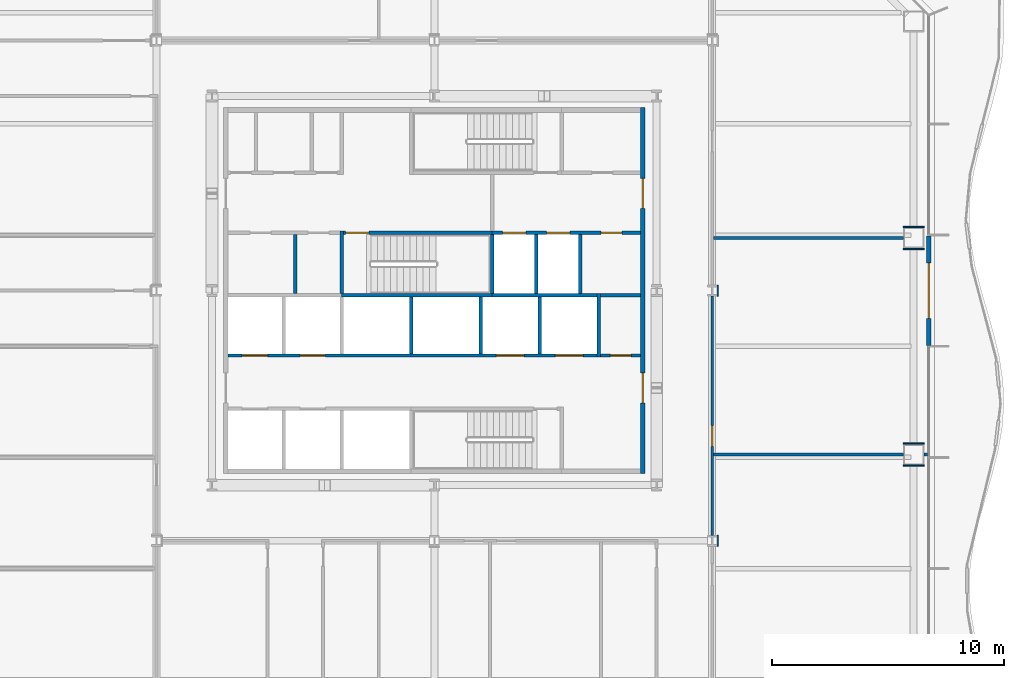
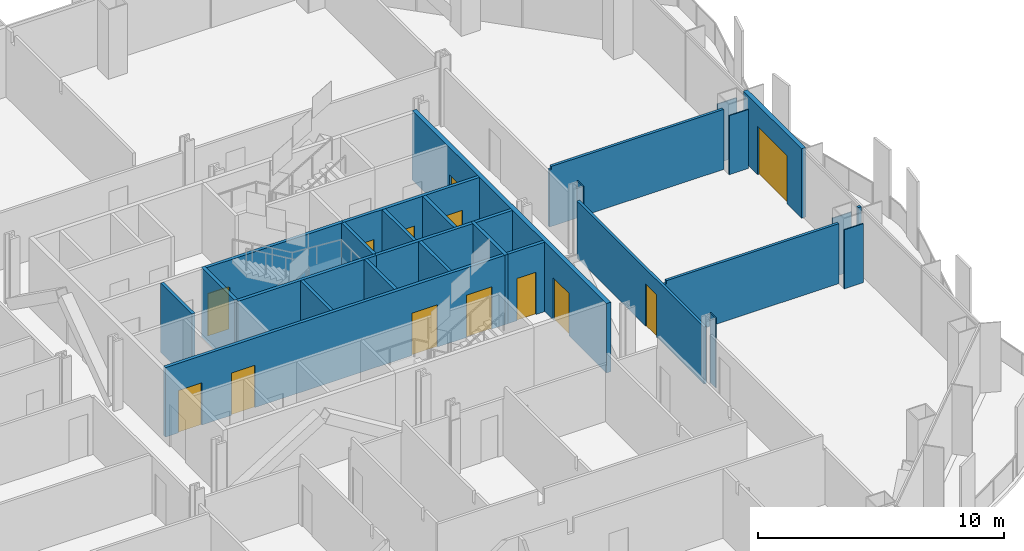
# One storey, part 9 of 17: 28 walls, 13 doors, 13 openings.
"""IFC4 building model written with IfcOpenShell, lengths in metres."""

import ifcopenshell
import ifcopenshell.guid

model = None  # the IFC model being written
_history = None  # IfcOwnerHistory: only IFC2X3 demands one
_inside = {}  # id of a spatial element -> (the spatial element, [elements in it])
_under = {}  # id of a project, library or spatial element -> (it, [spatial elements below it])
_declared = {}  # id of a project -> (the project, [libraries it declares])
_typed = {}  # id of a type object -> (the type object, [elements of that type])
_made_of = {}  # id of a material, layer set ... -> (it, [elements and type objects made of it])


def new_model(schema):
    """Start an empty IFC model of exactly this schema.

    Asked for "IFC4X3", IfcOpenShell would pick the latest addendum, in which some entities
    have other attributes; the version numbers below select the first issue.
    IFC2X3 requires an IfcOwnerHistory on every rooted entity: one is made here for all.
    """
    global model, _history
    if schema == "IFC4X3":
        model = ifcopenshell.file(schema_version=(4, 3, 0, 0))
    else:
        model = ifcopenshell.file(schema=schema)
    _inside.clear()
    _under.clear()
    _declared.clear()
    _typed.clear()
    _made_of.clear()
    _history = None
    if model.schema == "IFC2X3":
        org = make("IfcOrganization", Name="unknown")
        user = make(
            "IfcPersonAndOrganization",
            ThePerson=make("IfcPerson", FamilyName="unknown"),
            TheOrganization=org,
        )
        app = make(
            "IfcApplication",
            ApplicationDeveloper=org,
            Version="unknown",
            ApplicationFullName="unknown",
            ApplicationIdentifier="unknown",
        )
        _history = make(
            "IfcOwnerHistory",
            OwningUser=user,
            OwningApplication=app,
            ChangeAction="ADDED",
            CreationDate=0,
        )
    return model


def make(cls, **values):
    """One entity of the class cls with the attributes given. An attribute that is None is left unset."""
    return model.create_entity(
        cls, **{name: value for name, value in values.items() if value is not None}
    )


def rooted(cls, **values):
    """An entity with a GlobalId (a new one), such as an element, a storey or a relation."""
    return make(cls, GlobalId=ifcopenshell.guid.new(), OwnerHistory=_history, **values)


def si_unit(unit_type, name, prefix=None):
    """IfcSIUnit, for example si_unit("LENGTHUNIT", "METRE", prefix="MILLI")."""
    return make("IfcSIUnit", UnitType=unit_type, Prefix=prefix, Name=name)


def assignment(units):
    """IfcUnitAssignment: the units of a project."""
    return None if units is None else make("IfcUnitAssignment", Units=units)


def point(xyz):
    """IfcCartesianPoint."""
    return None if xyz is None else make("IfcCartesianPoint", Coordinates=xyz)


def direction(xyz):
    """IfcDirection."""
    return None if xyz is None else make("IfcDirection", DirectionRatios=xyz)


def frame(location, z_axis=None, x_axis=None):
    """IfcAxis2Placement3D, a coordinate frame: its origin and axes. An axis left out is left unset."""
    return make(
        "IfcAxis2Placement3D",
        Location=point(location),
        Axis=direction(z_axis),
        RefDirection=direction(x_axis),
    )


def frame_2d(location, x_axis=None):
    """IfcAxis2Placement2D, a coordinate frame in the plane: its origin and x axis."""
    return make(
        "IfcAxis2Placement2D", Location=point(location), RefDirection=direction(x_axis)
    )


def origin():
    """The frame at (0, 0, 0) with its axes left unset."""
    return frame((0.0, 0.0, 0.0))


def place(relative_to, where):
    """IfcLocalPlacement: puts the frame where relative to a parent placement (None: the world)."""
    return make(
        "IfcLocalPlacement", PlacementRelTo=relative_to, RelativePlacement=where
    )


def context(
    kind, dimensions, precision=None, world=None, true_north=None, identifier=None
):
    """IfcGeometricRepresentationContext, for example the 3D "Model" context."""
    return make(
        "IfcGeometricRepresentationContext",
        ContextIdentifier=identifier,
        ContextType=kind,
        CoordinateSpaceDimension=dimensions,
        Precision=precision,
        WorldCoordinateSystem=world,
        TrueNorth=true_north,
    )


def subcontext(parent, identifier, kind, view, scale=None):
    """IfcGeometricRepresentationSubContext, for example "Body" below "Model"."""
    return make(
        "IfcGeometricRepresentationSubContext",
        ContextIdentifier=identifier,
        ContextType=kind,
        ParentContext=parent,
        TargetScale=scale,
        TargetView=view,
    )


def project(units=None, contexts=None):
    """IfcProject with its units and contexts."""
    return rooted(
        "IfcProject",
        Name="project",
        RepresentationContexts=contexts,
        UnitsInContext=assignment(units),
    )


def spatial(cls, under=None, at=None, **own):
    """A site, building, storey or space (cls), placed at a placement, below another one or the project."""
    s = rooted(cls, ObjectPlacement=at, **own)
    if under is not None:
        _under.setdefault(under.id(), (under, []))[1].append(s)
    return s


def polyline(points):
    """IfcPolyline through the points."""
    return make("IfcPolyline", Points=[point(p) for p in points])


def profile(cls, at=None, kind="AREA", **sizes):
    """A parametric profile (cls). Its sizes go by their IFC names, for example OverallWidth=200.0."""
    return make(cls, ProfileType=kind, Position=at, **sizes)


def rectangle(**sizes):
    """IfcRectangleProfileDef."""
    return profile("IfcRectangleProfileDef", **sizes)


def outline(outer, holes=None, kind="AREA"):
    """IfcArbitraryClosedProfileDef: a profile drawn as a closed curve; with holes, ...WithVoids."""
    if holes is None:
        return make("IfcArbitraryClosedProfileDef", ProfileType=kind, OuterCurve=outer)
    return make(
        "IfcArbitraryProfileDefWithVoids",
        ProfileType=kind,
        OuterCurve=outer,
        InnerCurves=holes,
    )


def extrude(swept, where, along, depth):
    """IfcExtrudedAreaSolid: the profile swept, set in the frame where, extruded along a direction by depth."""
    return make(
        "IfcExtrudedAreaSolid",
        SweptArea=swept,
        Position=where,
        ExtrudedDirection=direction(along),
        Depth=depth,
    )


def shape(context_of_items, identifier, shape_type, items):
    """IfcShapeRepresentation: the items that make up one representation, for example the "Body"."""
    return make(
        "IfcShapeRepresentation",
        ContextOfItems=context_of_items,
        RepresentationIdentifier=identifier,
        RepresentationType=shape_type,
        Items=items,
    )


def material(Name=None, Category=None):
    """IfcMaterial."""
    return make("IfcMaterial", Name=Name, Category=Category)


def layer(
    of_material, thickness, ventilated=None, Name=None, Category=None, Priority=None
):
    """IfcMaterialLayer: one layer of a wall or slab, of a material (None: an air gap)."""
    return make(
        "IfcMaterialLayer",
        Material=of_material,
        LayerThickness=thickness,
        IsVentilated=ventilated,
        Name=Name,
        Category=Category,
        Priority=Priority,
    )


def layer_set(layers, Name=None):
    """IfcMaterialLayerSet."""
    return make("IfcMaterialLayerSet", MaterialLayers=layers, LayerSetName=Name)


def made_of(thing, what):
    """Note that an element or type object is made of a material, layer set ...; save() writes the relation."""
    if what is not None:
        _made_of.setdefault(what.id(), (what, []))[1].append(thing)
    return thing


def type_object(cls, material=None, **own):
    """A type object (cls), such as IfcWallType, which elements share."""
    return made_of(rooted(cls, **own), material)


def element(
    cls,
    number,
    at=None,
    inside=None,
    cuts=None,
    type_object=None,
    material=None,
    context=None,
    identifier="Body",
    shape_type=None,
    held_by="IfcProductDefinitionShape",
    body=None,
    shapes=None,
    **own,
):
    """One element of the class cls, such as IfcWall. Its Tag is "e" and its number.

    at: its placement. inside: the storey or other place that contains it. cuts: it is an
    opening in that element (IfcRelVoidsElement). A single representation is given by context,
    identifier, shape_type and body (its items); several are given by shapes. held_by: the class
    of the entity that holds the representations. save() writes the other relations.
    """
    e = rooted(cls, Tag="e%d" % number, ObjectPlacement=at, **own)
    if body is not None:
        shapes = [shape(context, identifier, shape_type, body)]
    if shapes is not None:
        e.Representation = make(held_by, Representations=shapes)
    if inside is not None:
        _inside.setdefault(inside.id(), (inside, []))[1].append(e)
    if cuts is not None:
        rooted(
            "IfcRelVoidsElement", RelatingBuildingElement=cuts, RelatedOpeningElement=e
        )
    if type_object is not None:
        _typed.setdefault(type_object.id(), (type_object, []))[1].append(e)
    return made_of(e, material)


def fill(opening, filler):
    """IfcRelFillsElement: the door or window that sits in an opening."""
    return rooted(
        "IfcRelFillsElement",
        RelatingOpeningElement=opening,
        RelatedBuildingElement=filler,
    )


def aggregate(whole, parts):
    """IfcRelAggregates: a whole, such as a stair, and the parts it consists of."""
    return rooted("IfcRelAggregates", RelatingObject=whole, RelatedObjects=parts)


def save(model, path):
    """Write the relations noted so far, then the file.

    IfcRelAggregates (storeys below a building ...), IfcRelContainedInSpatialStructure (elements
    in a storey), IfcRelDefinesByType, IfcRelAssociatesMaterial and IfcRelDeclares: one each for
    every whole, place, type object, material and project.
    """
    for whole, parts in _under.values():
        aggregate(whole, parts)
    for where, things in _inside.values():
        rooted(
            "IfcRelContainedInSpatialStructure",
            RelatedElements=things,
            RelatingStructure=where,
        )
    for kind, things in _typed.values():
        rooted("IfcRelDefinesByType", RelatedObjects=things, RelatingType=kind)
    for what, things in _made_of.values():
        rooted("IfcRelAssociatesMaterial", RelatedObjects=things, RelatingMaterial=what)
    for by, libraries in _declared.values():
        rooted("IfcRelDeclares", RelatingContext=by, RelatedDefinitions=libraries)
    model.write(path)


model = new_model("IFC4")

# Units and contexts
model_context = context("Model", 3, precision=1e-05, world=origin(), true_north=direction((0.0, 1.0)))
body_context = subcontext(model_context, "Body", "Model", "MODEL_VIEW")
ifc_project = project(units=[si_unit("LENGTHUNIT", "METRE"), si_unit("AREAUNIT", "SQUARE_METRE"), si_unit("VOLUMEUNIT", "CUBIC_METRE"), si_unit("PLANEANGLEUNIT", "RADIAN"), si_unit("MASSUNIT", "GRAM", prefix="KILO")], contexts=[model_context])

# Site, building, storey
site_placement = place(None, origin())
site = spatial("IfcSite", under=ifc_project, at=site_placement, CompositionType="ELEMENT")
building_placement = place(site_placement, origin())
building = spatial("IfcBuilding", under=site, at=building_placement, Name="Cairn Pilgrim Tower", CompositionType="ELEMENT")
storey_placement = place(building_placement, frame((0.0, 0.0, 79.800048828125)))
storey = spatial("IfcBuildingStorey", under=building, at=storey_placement, Name="L18", CompositionType="ELEMENT", Elevation=79.800048828125)

# Wall, opening, door
ifc_material_1 = material(Name="Bronze anodised aluminium insulated sandwich panel with mineral wool fill", Category="aluminium")
ifc_layer_1 = layer(ifc_material_1, 0.199951171875)
ifc_layer_set_1 = layer_set([ifc_layer_1], Name="BRONZE INFILL FRAME WALL 200")
wall_type_1 = type_object("IfcWallType", Name="BRONZE INFILL FRAME WALL 200", PredefinedType="NOTDEFINED", material=ifc_layer_set_1)
wall_1_placement = place(storey_placement, frame((28.550048828125, 0.030029296875, 0.0), z_axis=(0.0, 0.0, 1.0), x_axis=(0.0, 1.0, 0.0)))
wall_1 = element("IfcWall", 1, at=wall_1_placement, inside=storey, type_object=wall_type_1, Name="Bronze infill frame wall IW-E4", PredefinedType="NOTDEFINED", context=body_context, shape_type="SweptSolid", body=[
    extrude(rectangle(XDim=4.739990234375, YDim=0.199951171875, at=frame_2d((2.3701171875, 0.0))), origin(), (0.0, 0.0, 1.0), 3.449951171875),
])
opening_1_placement = place(wall_1_placement, frame((1.169921875, 0.0, 0.0)))
opening_1 = element("IfcOpeningElement", 2, at=opening_1_placement, cuts=wall_1, Name="Opening 1815B", PredefinedType="OPENING", context=body_context, shape_type="SweptSolid", body=[
    extrude(rectangle(XDim=2.39990234375, YDim=2.39990234375, at=frame_2d((1.199951171875, 1.199951171875))), frame((0.0, 0.10986328125, 0.0), z_axis=(0.0, -1.0, 0.0), x_axis=(1.0, 0.0, 0.0)), (0.0, 0.0, 1.0), 0.219970703125),
])
ifc_material_2 = material(Name="Bronze anodised aluminium frame with tinted low-E glass", Category="aluminium")
door_type_1 = type_object("IfcDoorType", Name="BALCONY SLIDING DOOR 2400x2400", OperationType="DOUBLE_DOOR_SLIDING", PredefinedType="DOOR", material=ifc_material_2)
door_1_placement = place(opening_1_placement, origin())
door_1 = element("IfcDoor", 3, at=door_1_placement, inside=storey, type_object=door_type_1, Name="Balcony sliding door 1815B", OperationType="SINGLE_SWING_LEFT", OverallHeight=2.39990234375, OverallWidth=2.39990234375, PredefinedType="DOOR", context=body_context, shape_type="SweptSolid", body=[
    extrude(rectangle(XDim=2.39990234375, YDim=2.39990234375, at=frame_2d((1.199951171875, 1.199951171875))), frame((0.0, 0.02490234375, 0.0), z_axis=(0.0, -1.0, 0.0), x_axis=(1.0, 0.0, 0.0)), (0.0, 0.0, 1.0), 0.050048828125),
])
fill(opening_1, door_1)

# Wall, openings, doors
ifc_material_3 = material(Name="Concrete C32/40", Category="concrete")
ifc_layer_2 = layer(ifc_material_3, 0.199951171875)
ifc_layer_set_2 = layer_set([ifc_layer_2], Name="CORE OUTER WALL 200 EI 120")
wall_type_2 = type_object("IfcWallType", Name="CORE OUTER WALL 200 EI 120", PredefinedType="SOLIDWALL", material=ifc_layer_set_2)
wall_2_placement = place(storey_placement, frame((16.199951171875, -5.5, 0.0), z_axis=(0.0, 0.0, 1.0), x_axis=(0.0, 1.0, 0.0)))
wall_2 = element("IfcWall", 4, at=wall_2_placement, inside=storey, type_object=wall_type_2, Name="CW:L18:V34", PredefinedType="SOLIDWALL", context=body_context, shape_type="SweptSolid", body=[
    extrude(rectangle(XDim=15.800048828125, YDim=0.199951171875, at=frame_2d((7.89990234375, 0.0))), origin(), (0.0, 0.0, 1.0), 3.449951171875),
])
opening_2_placement = place(wall_2_placement, frame((3.050048828125, 0.0, 0.0)))
opening_2 = element("IfcOpeningElement", 5, at=opening_2_placement, cuts=wall_2, Name="Opening CD-E1", PredefinedType="OPENING", context=body_context, shape_type="SweptSolid", body=[
    extrude(rectangle(XDim=1.300048828125, YDim=2.10009765625, at=frame_2d((0.64990234375, 1.050048828125))), frame((0.0, 0.10986328125, 0.0), z_axis=(0.0, -1.0, 0.0), x_axis=(1.0, 0.0, 0.0)), (0.0, 0.0, 1.0), 0.219970703125),
])
opening_3_placement = place(wall_2_placement, frame((11.449951171875, 0.0, 0.0)))
opening_3 = element("IfcOpeningElement", 6, at=opening_3_placement, cuts=wall_2, Name="Opening CD-E2", PredefinedType="OPENING", context=body_context, shape_type="SweptSolid", body=[
    extrude(rectangle(XDim=1.300048828125, YDim=2.10009765625, at=frame_2d((0.64990234375, 1.050048828125))), frame((0.0, 0.10986328125, 0.0), z_axis=(0.0, -1.0, 0.0), x_axis=(1.0, 0.0, 0.0)), (0.0, 0.0, 1.0), 0.219970703125),
])
ifc_material_4 = material(Name="Painted steel", Category="steel")
door_type_2 = type_object("IfcDoorType", Name="CORE LOBBY DOOR 1300x2100", OperationType="DOUBLE_DOOR_SINGLE_SWING", PredefinedType="DOOR", material=ifc_material_4)
door_2_placement = place(opening_2_placement, origin())
door_2 = element("IfcDoor", 7, at=door_2_placement, inside=storey, type_object=door_type_2, Name="CD-E1", OperationType="DOUBLE_DOOR_SINGLE_SWING", OverallHeight=2.10009765625, OverallWidth=1.300048828125, PredefinedType="DOOR", context=body_context, shape_type="SweptSolid", body=[
    extrude(rectangle(XDim=1.300048828125, YDim=2.10009765625, at=frame_2d((0.64990234375, 1.050048828125))), frame((0.0, 0.02490234375, 0.0), z_axis=(0.0, -1.0, 0.0), x_axis=(1.0, 0.0, 0.0)), (0.0, 0.0, 1.0), 0.050048828125),
])
fill(opening_2, door_2)
door_3_placement = place(opening_3_placement, origin())
door_3 = element("IfcDoor", 8, at=door_3_placement, inside=storey, type_object=door_type_2, Name="CD-E2", OperationType="DOUBLE_DOOR_SINGLE_SWING", OverallHeight=2.10009765625, OverallWidth=1.300048828125, PredefinedType="DOOR", context=body_context, shape_type="SweptSolid", body=[
    extrude(rectangle(XDim=1.300048828125, YDim=2.10009765625, at=frame_2d((0.64990234375, 1.050048828125))), frame((0.0, 0.02490234375, 0.0), z_axis=(0.0, -1.0, 0.0), x_axis=(1.0, 0.0, 0.0)), (0.0, 0.0, 1.0), 0.050048828125),
])
fill(opening_3, door_3)

# Wall, opening, door
ifc_layer_3 = layer(ifc_material_3, 0.14990234375)
ifc_layer_set_3 = layer_set([ifc_layer_3], Name="CORE PARTITION 150 EI 60")
wall_type_3 = type_object("IfcWallType", Name="CORE PARTITION 150 EI 60", PredefinedType="PARTITIONING", material=ifc_layer_set_3)
wall_3_placement = place(storey_placement, frame((14.375, -0.39990234375, 0.0), z_axis=(0.0, 0.0, 1.0), x_axis=(1.0, 0.0, 0.0)))
wall_3 = element("IfcWall", 9, at=wall_3_placement, inside=storey, type_object=wall_type_3, Name="CW:L18:H04", PredefinedType="PARTITIONING", context=body_context, shape_type="SweptSolid", body=[
    extrude(rectangle(XDim=1.72509765625, YDim=0.14990234375, at=frame_2d((0.862548828125, 0.0))), origin(), (0.0, 0.0, 1.0), 3.449951171875),
])
opening_4_placement = place(wall_3_placement, frame((0.425048828125, 0.0, 0.0)))
opening_4 = element("IfcOpeningElement", 10, at=opening_4_placement, cuts=wall_3, Name="Opening RD-R2E", PredefinedType="OPENING", context=body_context, shape_type="SweptSolid", body=[
    extrude(rectangle(XDim=0.89990234375, YDim=2.10009765625, at=frame_2d((0.449951171875, 1.050048828125))), frame((0.0, 0.0849609375, 0.0), z_axis=(0.0, -1.0, 0.0), x_axis=(1.0, 0.0, 0.0)), (0.0, 0.0, 1.0), 0.169921875),
])
door_type_3 = type_object("IfcDoorType", Name="SERVICE ROOM DOOR 900x2100", OperationType="SINGLE_SWING_LEFT", PredefinedType="DOOR", material=ifc_material_4)
door_4_placement = place(opening_4_placement, origin())
door_4 = element("IfcDoor", 11, at=door_4_placement, inside=storey, type_object=door_type_3, Name="RD-R2E", OperationType="SINGLE_SWING_LEFT", OverallHeight=2.10009765625, OverallWidth=0.89990234375, PredefinedType="DOOR", context=body_context, shape_type="SweptSolid", body=[
    extrude(rectangle(XDim=0.89990234375, YDim=2.10009765625, at=frame_2d((0.449951171875, 1.050048828125))), frame((0.0, 0.02490234375, 0.0), z_axis=(0.0, -1.0, 0.0), x_axis=(1.0, 0.0, 0.0)), (0.0, 0.0, 1.0), 0.050048828125),
])
fill(opening_4, door_4)

# Walls
wall_4_placement = place(storey_placement, frame((14.375, 2.199951171875, 0.0), z_axis=(0.0, 0.0, 1.0), x_axis=(1.0, 0.0, 0.0)))
element("IfcWall", 12, at=wall_4_placement, inside=storey, type_object=wall_type_3, Name="CW:L18:H06", PredefinedType="PARTITIONING", context=body_context, shape_type="SweptSolid", body=[
    extrude(rectangle(XDim=1.72509765625, YDim=0.14990234375, at=frame_2d((0.862548828125, 0.0))), origin(), (0.0, 0.0, 1.0), 3.449951171875),
])
wall_5_placement = place(storey_placement, frame((1.199951171875, 2.27490234375, 0.0), z_axis=(0.0, 0.0, 1.0), x_axis=(0.0, 1.0, 0.0)))
element("IfcWall", 13, at=wall_5_placement, inside=storey, type_object=wall_type_3, Name="CW:L18:V16", PredefinedType="PARTITIONING", context=body_context, shape_type="SweptSolid", body=[
    extrude(rectangle(XDim=2.550048828125, YDim=0.14990234375, at=frame_2d((1.27490234375, 0.0))), origin(), (0.0, 0.0, 1.0), 3.449951171875),
])

# Wall, openings, doors
ifc_layer_4 = layer(ifc_material_3, 0.14990234375)
ifc_layer_set_4 = layer_set([ifc_layer_4], Name="CORE SHAFT WALL 150 EI 120")
wall_type_4 = type_object("IfcWallType", Name="CORE SHAFT WALL 150 EI 120", PredefinedType="SOLIDWALL", material=ifc_layer_set_4)
wall_6_placement = place(storey_placement, frame((-1.699951171875, -0.39990234375, 0.0), z_axis=(0.0, 0.0, 1.0), x_axis=(1.0, 0.0, 0.0)))
wall_6 = element("IfcWall", 14, at=wall_6_placement, inside=storey, type_object=wall_type_4, Name="CW:L18:H03", PredefinedType="SOLIDWALL", context=body_context, shape_type="SweptSolid", body=[
    extrude(rectangle(XDim=15.925048828125, YDim=0.14990234375, at=frame_2d((7.96240234375, 0.0))), origin(), (0.0, 0.0, 1.0), 3.449951171875),
])
opening_5_placement = place(wall_6_placement, frame((0.60009765625, 0.0, 0.0)))
opening_5 = element("IfcOpeningElement", 15, at=opening_5_placement, cuts=wall_6, Name="Opening LD-LR3", PredefinedType="OPENING", context=body_context, shape_type="SweptSolid", body=[
    extrude(rectangle(XDim=1.10009765625, YDim=2.10009765625, at=frame_2d((0.550048828125, 1.050048828125))), frame((0.0, 0.0849609375, 0.0), z_axis=(0.0, -1.0, 0.0), x_axis=(1.0, 0.0, 0.0)), (0.0, 0.0, 1.0), 0.169921875),
])
opening_6_placement = place(wall_6_placement, frame((3.10009765625, 0.0, 0.0)))
opening_6 = element("IfcOpeningElement", 16, at=opening_6_placement, cuts=wall_6, Name="Opening LD-LR4", PredefinedType="OPENING", context=body_context, shape_type="SweptSolid", body=[
    extrude(rectangle(XDim=1.10009765625, YDim=2.10009765625, at=frame_2d((0.550048828125, 1.050048828125))), frame((0.0, 0.0849609375, 0.0), z_axis=(0.0, -1.0, 0.0), x_axis=(1.0, 0.0, 0.0)), (0.0, 0.0, 1.0), 0.169921875),
])
opening_7_placement = place(wall_6_placement, frame((11.574951171875, 0.0, 0.0)))
opening_7 = element("IfcOpeningElement", 17, at=opening_7_placement, cuts=wall_6, Name="Opening LD-SV1", PredefinedType="OPENING", context=body_context, shape_type="SweptSolid", body=[
    extrude(rectangle(XDim=1.199951171875, YDim=2.10009765625, at=frame_2d((0.60009765625, 1.050048828125))), frame((0.0, 0.0849609375, 0.0), z_axis=(0.0, -1.0, 0.0), x_axis=(1.0, 0.0, 0.0)), (0.0, 0.0, 1.0), 0.169921875),
])
opening_8_placement = place(wall_6_placement, frame((14.125, 0.0, 0.0)))
opening_8 = element("IfcOpeningElement", 18, at=opening_8_placement, cuts=wall_6, Name="Opening LD-SV2", PredefinedType="OPENING", context=body_context, shape_type="SweptSolid", body=[
    extrude(rectangle(XDim=1.199951171875, YDim=2.10009765625, at=frame_2d((0.60009765625, 1.050048828125))), frame((0.0, 0.0849609375, 0.0), z_axis=(0.0, -1.0, 0.0), x_axis=(1.0, 0.0, 0.0)), (0.0, 0.0, 1.0), 0.169921875),
])
ifc_material_5 = material(Name="Stainless steel", Category="steel")
door_type_4 = type_object("IfcDoorType", Name="LIFT LANDING DOOR 1100x2100", OperationType="DOUBLE_DOOR_SLIDING", PredefinedType="DOOR", material=ifc_material_5)
door_5_placement = place(opening_5_placement, origin())
door_5 = element("IfcDoor", 19, at=door_5_placement, inside=storey, type_object=door_type_4, Name="LANDING DOOR LR3", OperationType="DOUBLE_DOOR_SLIDING", OverallHeight=2.10009765625, OverallWidth=1.10009765625, PredefinedType="DOOR", context=body_context, shape_type="SweptSolid", body=[
    extrude(rectangle(XDim=1.10009765625, YDim=2.10009765625, at=frame_2d((0.550048828125, 1.050048828125))), frame((0.0, 0.02490234375, 0.0), z_axis=(0.0, -1.0, 0.0), x_axis=(1.0, 0.0, 0.0)), (0.0, 0.0, 1.0), 0.050048828125),
])
fill(opening_5, door_5)
door_6_placement = place(opening_6_placement, origin())
door_6 = element("IfcDoor", 20, at=door_6_placement, inside=storey, type_object=door_type_4, Name="LANDING DOOR LR4", OperationType="DOUBLE_DOOR_SLIDING", OverallHeight=2.10009765625, OverallWidth=1.10009765625, PredefinedType="DOOR", context=body_context, shape_type="SweptSolid", body=[
    extrude(rectangle(XDim=1.10009765625, YDim=2.10009765625, at=frame_2d((0.550048828125, 1.050048828125))), frame((0.0, 0.02490234375, 0.0), z_axis=(0.0, -1.0, 0.0), x_axis=(1.0, 0.0, 0.0)), (0.0, 0.0, 1.0), 0.050048828125),
])
fill(opening_6, door_6)
door_type_5 = type_object("IfcDoorType", Name="LIFT LANDING DOOR 1200x2100", OperationType="DOUBLE_DOOR_SLIDING", PredefinedType="DOOR", material=ifc_material_5)
door_7_placement = place(opening_7_placement, origin())
door_7 = element("IfcDoor", 21, at=door_7_placement, inside=storey, type_object=door_type_5, Name="LANDING DOOR SV1", OperationType="DOUBLE_DOOR_SLIDING", OverallHeight=2.10009765625, OverallWidth=1.199951171875, PredefinedType="DOOR", context=body_context, shape_type="SweptSolid", body=[
    extrude(rectangle(XDim=1.199951171875, YDim=2.10009765625, at=frame_2d((0.60009765625, 1.050048828125))), frame((0.0, 0.02490234375, 0.0), z_axis=(0.0, -1.0, 0.0), x_axis=(1.0, 0.0, 0.0)), (0.0, 0.0, 1.0), 0.050048828125),
])
fill(opening_7, door_7)
door_8_placement = place(opening_8_placement, origin())
door_8 = element("IfcDoor", 22, at=door_8_placement, inside=storey, type_object=door_type_5, Name="LANDING DOOR SV2", OperationType="DOUBLE_DOOR_SLIDING", OverallHeight=2.10009765625, OverallWidth=1.199951171875, PredefinedType="DOOR", context=body_context, shape_type="SweptSolid", body=[
    extrude(rectangle(XDim=1.199951171875, YDim=2.10009765625, at=frame_2d((0.60009765625, 1.050048828125))), frame((0.0, 0.02490234375, 0.0), z_axis=(0.0, -1.0, 0.0), x_axis=(1.0, 0.0, 0.0)), (0.0, 0.0, 1.0), 0.050048828125),
])
fill(opening_8, door_8)

# Wall
wall_7_placement = place(storey_placement, frame((9.699951171875, 2.199951171875, 0.0), z_axis=(0.0, 0.0, 1.0), x_axis=(1.0, 0.0, 0.0)))
element("IfcWall", 23, at=wall_7_placement, inside=storey, type_object=wall_type_4, Name="CW:L18:H05-3", PredefinedType="SOLIDWALL", context=body_context, shape_type="SweptSolid", body=[
    extrude(rectangle(XDim=4.525146484375, YDim=0.14990234375, at=frame_2d((2.2626953125, 0.0))), origin(), (0.0, 0.0, 1.0), 3.449951171875),
])

# Wall, openings, doors
wall_8_placement = place(storey_placement, frame((9.699951171875, 4.89990234375, 0.0), z_axis=(0.0, 0.0, 1.0), x_axis=(1.0, 0.0, 0.0)))
wall_8 = element("IfcWall", 24, at=wall_8_placement, inside=storey, type_object=wall_type_4, Name="CW:L18:H08-2", PredefinedType="SOLIDWALL", context=body_context, shape_type="SweptSolid", body=[
    extrude(rectangle(XDim=6.400146484375, YDim=0.14990234375, at=frame_2d((3.2001953125, 0.0))), origin(), (0.0, 0.0, 1.0), 3.449951171875),
])
opening_9_placement = place(wall_8_placement, frame((0.449951171875, 0.0, 0.0)))
opening_9 = element("IfcOpeningElement", 25, at=opening_9_placement, cuts=wall_8, Name="Opening LD-FF1", PredefinedType="OPENING", context=body_context, shape_type="SweptSolid", body=[
    extrude(rectangle(XDim=1.0, YDim=2.10009765625, at=frame_2d((0.5, 1.050048828125))), frame((0.0, 0.0849609375, 0.0), z_axis=(0.0, -1.0, 0.0), x_axis=(1.0, 0.0, 0.0)), (0.0, 0.0, 1.0), 0.169921875),
])
opening_10_placement = place(wall_8_placement, frame((2.35009765625, 0.0, 0.0)))
opening_10 = element("IfcOpeningElement", 26, at=opening_10_placement, cuts=wall_8, Name="Opening LD-FF2", PredefinedType="OPENING", context=body_context, shape_type="SweptSolid", body=[
    extrude(rectangle(XDim=1.0, YDim=2.10009765625, at=frame_2d((0.5, 1.050048828125))), frame((0.0, 0.0849609375, 0.0), z_axis=(0.0, -1.0, 0.0), x_axis=(1.0, 0.0, 0.0)), (0.0, 0.0, 1.0), 0.169921875),
])
opening_11_placement = place(wall_8_placement, frame((4.699951171875, 0.0, 0.0)))
opening_11 = element("IfcOpeningElement", 27, at=opening_11_placement, cuts=wall_8, Name="Opening RD-R3E", PredefinedType="OPENING", context=body_context, shape_type="SweptSolid", body=[
    extrude(rectangle(XDim=0.89990234375, YDim=2.10009765625, at=frame_2d((0.449951171875, 1.050048828125))), frame((0.0, 0.0849609375, 0.0), z_axis=(0.0, -1.0, 0.0), x_axis=(1.0, 0.0, 0.0)), (0.0, 0.0, 1.0), 0.169921875),
])
door_type_6 = type_object("IfcDoorType", Name="LIFT LANDING DOOR FIRE 1000x2100", OperationType="DOUBLE_DOOR_SLIDING", PredefinedType="DOOR", material=ifc_material_5)
door_9_placement = place(opening_9_placement, origin())
door_9 = element("IfcDoor", 28, at=door_9_placement, inside=storey, type_object=door_type_6, Name="LANDING DOOR FF1", OperationType="DOUBLE_DOOR_SLIDING", OverallHeight=2.10009765625, OverallWidth=1.0, PredefinedType="DOOR", context=body_context, shape_type="SweptSolid", body=[
    extrude(rectangle(XDim=1.0, YDim=2.10009765625, at=frame_2d((0.5, 1.050048828125))), frame((0.0, 0.02490234375, 0.0), z_axis=(0.0, -1.0, 0.0), x_axis=(1.0, 0.0, 0.0)), (0.0, 0.0, 1.0), 0.050048828125),
])
fill(opening_9, door_9)
door_10_placement = place(opening_10_placement, origin())
door_10 = element("IfcDoor", 29, at=door_10_placement, inside=storey, type_object=door_type_6, Name="LANDING DOOR FF2", OperationType="DOUBLE_DOOR_SLIDING", OverallHeight=2.10009765625, OverallWidth=1.0, PredefinedType="DOOR", context=body_context, shape_type="SweptSolid", body=[
    extrude(rectangle(XDim=1.0, YDim=2.10009765625, at=frame_2d((0.5, 1.050048828125))), frame((0.0, 0.02490234375, 0.0), z_axis=(0.0, -1.0, 0.0), x_axis=(1.0, 0.0, 0.0)), (0.0, 0.0, 1.0), 0.050048828125),
])
fill(opening_10, door_10)
door_11_placement = place(opening_11_placement, origin())
door_11 = element("IfcDoor", 30, at=door_11_placement, inside=storey, type_object=door_type_3, Name="RD-R3E", OperationType="SINGLE_SWING_RIGHT", OverallHeight=2.10009765625, OverallWidth=0.89990234375, PredefinedType="DOOR", context=body_context, shape_type="SweptSolid", body=[
    extrude(rectangle(XDim=0.89990234375, YDim=2.10009765625, at=frame_2d((0.449951171875, 1.050048828125))), frame((0.0, 0.02490234375, 0.0), z_axis=(0.0, -1.0, 0.0), x_axis=(1.0, 0.0, 0.0)), (0.0, 0.0, 1.0), 0.050048828125),
])
fill(opening_11, door_11)

# Walls
for number, where, z_axis, x_axis, name in (
    (31, (6.199951171875, -0.324951171875, 0.0), (0.0, 0.0, 1.0), (0.0, 1.0, 0.0), "CW:L18:V23"),
    (32, (9.199951171875, -0.324951171875, 0.0), (0.0, 0.0, 1.0), (0.0, 1.0, 0.0), "CW:L18:V25"),
):
    element("IfcWall", number, at=place(storey_placement, frame(where, z_axis=z_axis, x_axis=x_axis)), inside=storey, type_object=wall_type_4, Name=name, PredefinedType="SOLIDWALL", context=body_context, shape_type="SweptSolid", body=[
        extrude(rectangle(XDim=2.449951171875, YDim=0.14990234375, at=frame_2d((1.22509765625, 0.0))), origin(), (0.0, 0.0, 1.0), 3.449951171875),
    ])
wall_9_placement = place(storey_placement, frame((11.60009765625, 2.27490234375, 0.0), z_axis=(0.0, 0.0, 1.0), x_axis=(0.0, 1.0, 0.0)))
element("IfcWall", 33, at=wall_9_placement, inside=storey, type_object=wall_type_4, Name="CW:L18:V28", PredefinedType="SOLIDWALL", context=body_context, shape_type="SweptSolid", body=[
    extrude(rectangle(XDim=2.550048828125, YDim=0.14990234375, at=frame_2d((1.27490234375, 0.0))), origin(), (0.0, 0.0, 1.0), 3.449951171875),
])
wall_10_placement = place(storey_placement, frame((11.75, -0.324951171875, 0.0), z_axis=(0.0, 0.0, 1.0), x_axis=(0.0, 1.0, 0.0)))
element("IfcWall", 34, at=wall_10_placement, inside=storey, type_object=wall_type_4, Name="CW:L18:V29", PredefinedType="SOLIDWALL", context=body_context, shape_type="SweptSolid", body=[
    extrude(rectangle(XDim=2.449951171875, YDim=0.14990234375, at=frame_2d((1.22509765625, 0.0))), origin(), (0.0, 0.0, 1.0), 3.449951171875),
])
wall_11_placement = place(storey_placement, frame((13.5, 2.27490234375, 0.0), z_axis=(0.0, 0.0, 1.0), x_axis=(0.0, 1.0, 0.0)))
element("IfcWall", 35, at=wall_11_placement, inside=storey, type_object=wall_type_4, Name="CW:L18:V32", PredefinedType="SOLIDWALL", context=body_context, shape_type="SweptSolid", body=[
    extrude(rectangle(XDim=2.550048828125, YDim=0.14990234375, at=frame_2d((1.27490234375, 0.0))), origin(), (0.0, 0.0, 1.0), 3.449951171875),
])
wall_12_placement = place(storey_placement, frame((14.300048828125, -0.47509765625, 0.0), z_axis=(0.0, 0.0, 1.0), x_axis=(0.0, 1.0, 0.0)))
element("IfcWall", 36, at=wall_12_placement, inside=storey, type_object=wall_type_4, Name="CW:L18:V33", PredefinedType="SOLIDWALL", context=body_context, shape_type="SweptSolid", body=[
    extrude(rectangle(XDim=2.75, YDim=0.14990234375, at=frame_2d((1.375, 0.0))), origin(), (0.0, 0.0, 1.0), 3.449951171875),
])

# Wall, opening, door
ifc_material_6 = material(Name="Gypsum partition")
ifc_layer_5 = layer(ifc_material_6, 0.125)
ifc_layer_set_5 = layer_set([ifc_layer_5], Name="PARTITION 125 DRYWALL EI 60")
wall_type_5 = type_object("IfcWallType", Name="PARTITION 125 DRYWALL EI 60", PredefinedType="PARTITIONING", material=ifc_layer_set_5)
wall_13_placement = place(storey_placement, frame((19.199951171875, -8.1630859375, 0.0), z_axis=(0.0, 0.0, 1.0), x_axis=(0.0, 1.0, 0.0)))
wall_13 = element("IfcWall", 37, at=wall_13_placement, inside=storey, type_object=wall_type_5, Name="PARTITION W031", PredefinedType="PARTITIONING", context=body_context, shape_type="SweptSolid", body=[
    extrude(rectangle(XDim=10.326171875, YDim=0.125, at=frame_2d((5.1630859375, 0.0))), origin(), (0.0, 0.0, 1.0), 2.829833984375),
])
opening_12_placement = place(wall_13_placement, frame((3.839111328125, 0.0, 0.0)))
opening_12 = element("IfcOpeningElement", 38, at=opening_12_placement, cuts=wall_13, Name="Opening 1815", PredefinedType="OPENING", context=body_context, shape_type="SweptSolid", body=[
    extrude(rectangle(XDim=0.89990234375, YDim=2.10009765625, at=frame_2d((0.449951171875, 1.050048828125))), frame((0.0, 0.072509765625, 0.0), z_axis=(0.0, -1.0, 0.0), x_axis=(1.0, 0.0, 0.0)), (0.0, 0.0, 1.0), 0.14501953125),
])
ifc_material_7 = material(Name="Steel-faced fire door leaf", Category="steel")
door_type_7 = type_object("IfcDoorType", Name="FIRE DOOR 900x2100 FD30S", OperationType="NOTDEFINED", PredefinedType="DOOR", material=ifc_material_7)
door_12_placement = place(opening_12_placement, frame((0.89990234375, 0.0, 0.0), z_axis=(0.0, 0.0, 1.0), x_axis=(-1.0, 0.0, 0.0)))
door_12 = element("IfcDoor", 39, at=door_12_placement, inside=storey, type_object=door_type_7, Name="DOOR 1815", OperationType="SINGLE_SWING_RIGHT", OverallHeight=2.10009765625, OverallWidth=0.89990234375, PredefinedType="DOOR", context=body_context, shape_type="SweptSolid", body=[
    extrude(rectangle(XDim=0.89990234375, YDim=2.10009765625, at=frame_2d((0.449951171875, 1.050048828125))), frame((0.0, 0.02490234375, 0.0), z_axis=(0.0, -1.0, 0.0), x_axis=(1.0, 0.0, 0.0)), (0.0, 0.0, 1.0), 0.050048828125),
])
fill(opening_12, door_12)

# Walls
wall_14_placement = place(storey_placement, frame((19.262451171875, -4.676025390625, 0.0), z_axis=(0.0, 0.0, 1.0), x_axis=(1.0, 0.0, 0.0)))
element("IfcWall", 40, at=wall_14_placement, inside=storey, type_object=wall_type_5, Name="PARTITION W033", PredefinedType="PARTITIONING", context=body_context, shape_type="SweptSolid", body=[
    extrude(outline(polyline([(0.0, 0.0), (8.1875, 0.0), (8.1875, 2.97998046875), (0.08740234375, 2.97998046875), (0.08544921875, 2.829833984375), (0.0, 2.829833984375), (0.0, 0.0)])), frame((0.0, 0.0625, 0.0), z_axis=(0.0, -1.0, 0.0), x_axis=(1.0, 0.0, 0.0)), (0.0, 0.0, 1.0), 0.125),
])
wall_15_placement = place(storey_placement, frame((28.35009765625, -4.676025390625, 0.0), z_axis=(0.0, 0.0, 1.0), x_axis=(1.0, 0.0, 0.0)))
element("IfcWall", 41, at=wall_15_placement, inside=storey, type_object=wall_type_5, Name="PARTITION W034", PredefinedType="PARTITIONING", context=body_context, shape_type="SweptSolid", body=[
    extrude(rectangle(XDim=0.15283203125, YDim=0.125, at=frame_2d((0.076416015625, 0.0))), origin(), (0.0, 0.0, 1.0), 3.449951171875),
])
wall_16_placement = place(storey_placement, frame((19.262451171875, 4.676025390625, 0.0), z_axis=(0.0, 0.0, 1.0), x_axis=(1.0, 0.0, 0.0)))
element("IfcWall", 42, at=wall_16_placement, inside=storey, type_object=wall_type_5, Name="PARTITION W047", PredefinedType="PARTITIONING", context=body_context, shape_type="SweptSolid", body=[
    extrude(outline(polyline([(0.0, 0.0), (8.1875, 0.0), (8.1875, 2.97998046875), (0.08740234375, 2.97998046875), (0.08544921875, 2.829833984375), (0.0, 2.829833984375), (0.0, 0.0)])), frame((0.0, 0.0625, 0.0), z_axis=(0.0, -1.0, 0.0), x_axis=(1.0, 0.0, 0.0)), (0.0, 0.0, 1.0), 0.125),
])
ifc_layer_6 = layer(ifc_material_6, 0.050048828125)
ifc_layer_set_6 = layer_set([ifc_layer_6], Name="PARTITION 50 DRYWALL EI 60")
wall_type_6 = type_object("IfcWallType", Name="PARTITION 50 DRYWALL EI 60", PredefinedType="PARTITIONING", material=ifc_layer_set_6)
for number, where, z_axis, x_axis, name in (
    (43, (19.43701171875, -8.636962890625, 0.0), (0.0, 0.0, 1.0), (0.0, 1.0, 0.0), "COLUMN CASING WC03"),
    (44, (19.43701171875, 2.1630859375, 0.0), (0.0, 0.0, 1.0), (0.0, 1.0, 0.0), "COLUMN CASING WC04"),
):
    element("IfcWall", number, at=place(storey_placement, frame(where, z_axis=z_axis, x_axis=x_axis)), inside=storey, type_object=wall_type_6, Name=name, PredefinedType="PARTITIONING", context=body_context, shape_type="SweptSolid", body=[
        extrude(rectangle(XDim=0.473876953125, YDim=0.050048828125, at=frame_2d((0.23681640625, 0.0))), origin(), (0.0, 0.0, 1.0), 3.449951171875),
    ])
for number, where, z_axis, x_axis, name in (
    (45, (27.449951171875, -4.20068359375, 0.0), (0.0, 0.0, 1.0), (1.0, 0.0, 0.0), "COLUMN CASING WC12"),
    (46, (27.449951171875, -5.150634765625, 0.0), (0.0, 0.0, 1.0), (1.0, 0.0, 0.0), "COLUMN CASING WC13"),
    (47, (27.449951171875, 5.150634765625, 0.0), (0.0, 0.0, 1.0), (1.0, 0.0, 0.0), "COLUMN CASING WC18"),
    (48, (27.449951171875, 4.20068359375, 0.0), (0.0, 0.0, 1.0), (1.0, 0.0, 0.0), "COLUMN CASING WC19"),
):
    element("IfcWall", number, at=place(storey_placement, frame(where, z_axis=z_axis, x_axis=x_axis)), inside=storey, type_object=wall_type_6, Name=name, PredefinedType="PARTITIONING", context=body_context, shape_type="SweptSolid", body=[
        extrude(rectangle(XDim=0.900146484375, YDim=0.050048828125, at=frame_2d((0.4501953125, 0.0))), origin(), (0.0, 0.0, 1.0), 2.929931640625),
    ])
ifc_material_8 = material(Name="Concrete C35/45", Category="concrete")
ifc_layer_7 = layer(ifc_material_8, 0.14990234375)
ifc_layer_set_7 = layer_set([ifc_layer_7], Name="STAIR SHAFT WALL 150 EI 120")
wall_type_7 = type_object("IfcWallType", Name="STAIR SHAFT WALL 150 EI 120", PredefinedType="SOLIDWALL", material=ifc_layer_set_7)
wall_17_placement = place(storey_placement, frame((3.199951171875, 2.199951171875, 0.0), z_axis=(0.0, 0.0, 1.0), x_axis=(1.0, 0.0, 0.0)))
element("IfcWall", 49, at=wall_17_placement, inside=storey, type_object=wall_type_7, Name="CW:L18:H05-2", PredefinedType="SOLIDWALL", context=body_context, shape_type="SweptSolid", body=[
    extrude(rectangle(XDim=6.5, YDim=0.14990234375, at=frame_2d((3.25, 0.0))), origin(), (0.0, 0.0, 1.0), 3.449951171875),
])

# Wall, opening, door
wall_18_placement = place(storey_placement, frame((3.27490234375, 4.89990234375, 0.0), z_axis=(0.0, 0.0, 1.0), x_axis=(1.0, 0.0, 0.0)))
wall_18 = element("IfcWall", 50, at=wall_18_placement, inside=storey, type_object=wall_type_7, Name="CW:L18:H08-1", PredefinedType="SOLIDWALL", context=body_context, shape_type="SweptSolid", body=[
    extrude(rectangle(XDim=6.425048828125, YDim=0.14990234375, at=frame_2d((3.21240234375, 0.0))), origin(), (0.0, 0.0, 1.0), 3.449951171875),
])
opening_13_placement = place(wall_18_placement, frame((0.10009765625, 0.0, 0.0)))
opening_13 = element("IfcOpeningElement", 51, at=opening_13_placement, cuts=wall_18, Name="Opening SD-B", PredefinedType="OPENING", context=body_context, shape_type="SweptSolid", body=[
    extrude(rectangle(XDim=1.0, YDim=2.10009765625, at=frame_2d((0.5, 1.050048828125))), frame((0.0, 0.0849609375, 0.0), z_axis=(0.0, -1.0, 0.0), x_axis=(1.0, 0.0, 0.0)), (0.0, 0.0, 1.0), 0.169921875),
])
door_type_8 = type_object("IfcDoorType", Name="STAIR DOOR FD60S 1000x2100", OperationType="SINGLE_SWING_LEFT", PredefinedType="DOOR", material=ifc_material_4)
door_13_placement = place(opening_13_placement, origin())
door_13 = element("IfcDoor", 52, at=door_13_placement, inside=storey, type_object=door_type_8, Name="SD-B", OperationType="SINGLE_SWING_LEFT", OverallHeight=2.10009765625, OverallWidth=1.0, PredefinedType="DOOR", context=body_context, shape_type="SweptSolid", body=[
    extrude(rectangle(XDim=1.0, YDim=2.10009765625, at=frame_2d((0.5, 1.050048828125))), frame((0.0, 0.02490234375, 0.0), z_axis=(0.0, -1.0, 0.0), x_axis=(1.0, 0.0, 0.0)), (0.0, 0.0, 1.0), 0.050048828125),
])
fill(opening_13, door_13)

# Walls
wall_19_placement = place(storey_placement, frame((3.199951171875, 2.27490234375, 0.0), z_axis=(0.0, 0.0, 1.0), x_axis=(0.0, 1.0, 0.0)))
element("IfcWall", 53, at=wall_19_placement, inside=storey, type_object=wall_type_7, Name="CW:L18:V20", PredefinedType="SOLIDWALL", context=body_context, shape_type="SweptSolid", body=[
    extrude(rectangle(XDim=2.7001953125, YDim=0.14990234375, at=frame_2d((1.35009765625, 0.0))), origin(), (0.0, 0.0, 1.0), 3.449951171875),
])
wall_20_placement = place(storey_placement, frame((9.699951171875, 2.27490234375, 0.0), z_axis=(0.0, 0.0, 1.0), x_axis=(0.0, 1.0, 0.0)))
element("IfcWall", 54, at=wall_20_placement, inside=storey, type_object=wall_type_7, Name="CW:L18:V26", PredefinedType="SOLIDWALL", context=body_context, shape_type="SweptSolid", body=[
    extrude(rectangle(XDim=2.550048828125, YDim=0.14990234375, at=frame_2d((1.27490234375, 0.0))), origin(), (0.0, 0.0, 1.0), 3.449951171875),
])

save(model, "model.ifc")
